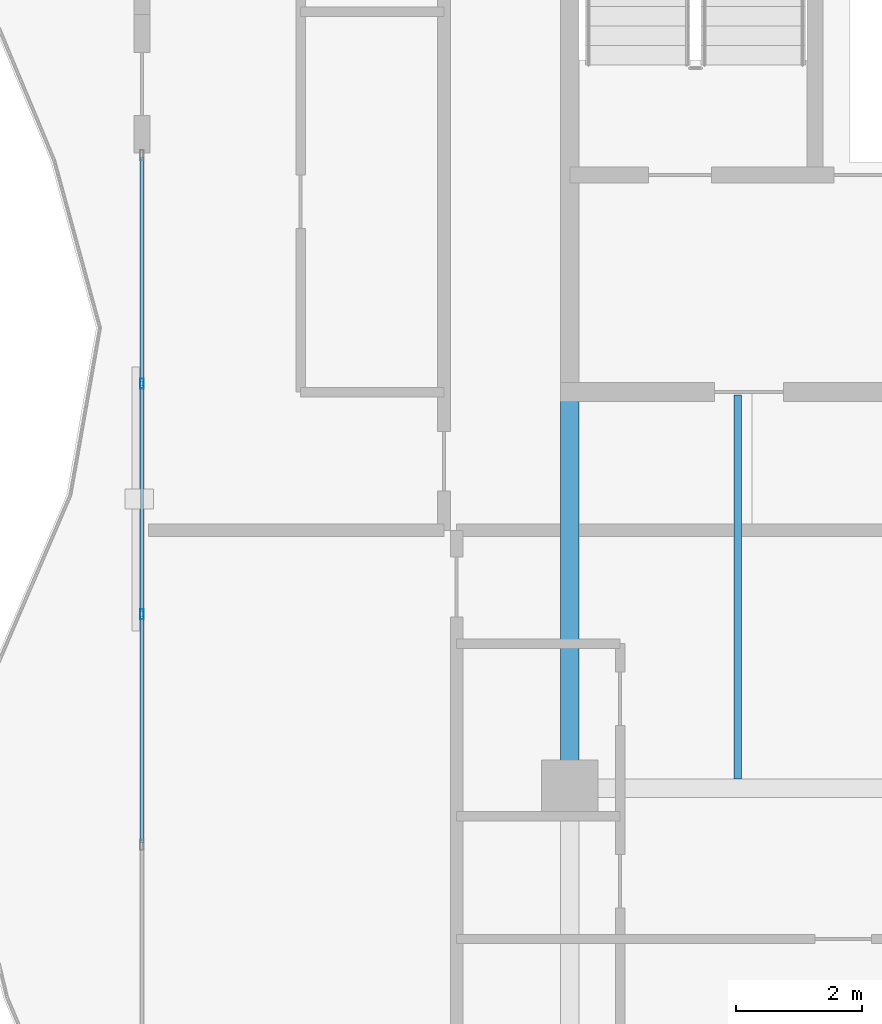
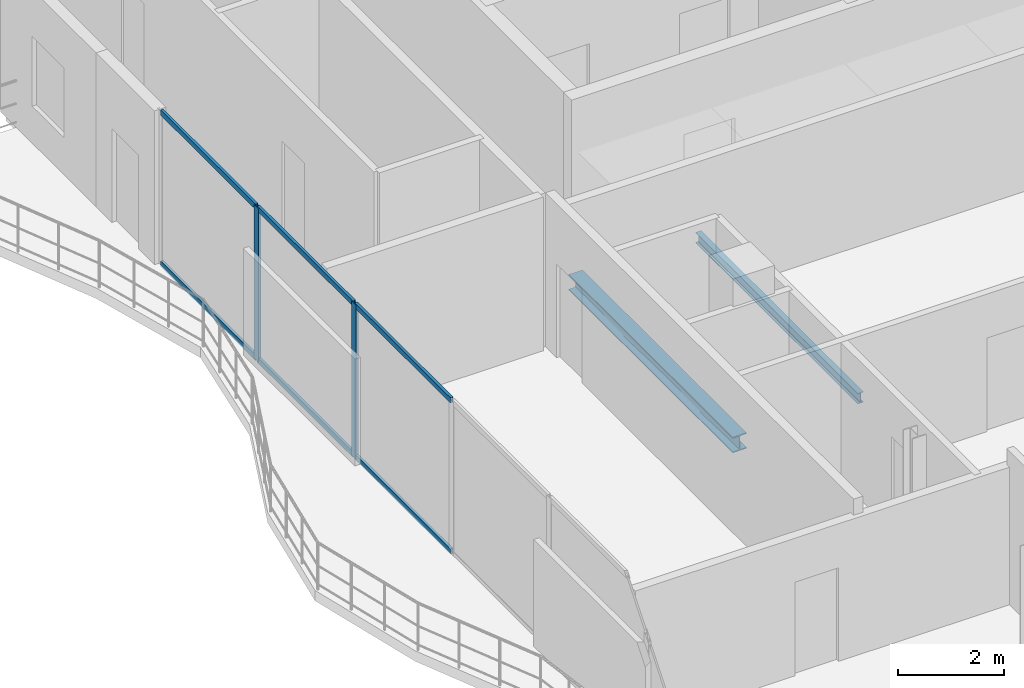
# One storey, part 7 of 17: 8 members, 2 beams, 1 element without a shape of its own.
"""IFC4 building model written with IfcOpenShell, lengths in metres."""

from ifc_helpers import new_model, si_unit, direction, frame, origin, origin_2d, place, context, subcontext, project, spatial, hollow_rectangle, i_section, extrude, material, layer, layer_set, material_profile, profile_set, type_object, element, aggregate, save


model = new_model("IFC4")

# Units and contexts
model_context = context("Model", 3, precision=1e-05, world=origin(), true_north=direction((0.0, 1.0)))
body_context = subcontext(model_context, "Body", "Model", "MODEL_VIEW")
ifc_project = project(units=[si_unit("LENGTHUNIT", "METRE"), si_unit("AREAUNIT", "SQUARE_METRE"), si_unit("VOLUMEUNIT", "CUBIC_METRE"), si_unit("PLANEANGLEUNIT", "RADIAN"), si_unit("MASSUNIT", "GRAM", prefix="KILO")], contexts=[model_context])

# Site, building, storey
site_placement = place(None, origin())
site = spatial("IfcSite", under=ifc_project, at=site_placement, CompositionType="ELEMENT")
building_placement = place(site_placement, origin())
building = spatial("IfcBuilding", under=site, at=building_placement, Name="Catumbela Crestline Tower", CompositionType="ELEMENT")
storey_placement = place(building_placement, frame((0.0, 0.0, 279.2)))
storey = spatial("IfcBuildingStorey", under=building, at=storey_placement, Name="L72", CompositionType="ELEMENT", Elevation=279.2)

# Beams
ifc_material_1 = material(Name="Structural steel S355J2", Category="steel")
ifc_material_profile_1 = material_profile(ifc_material_1, i_section(OverallWidth=0.3, OverallDepth=0.36, WebThickness=0.0125, FlangeThickness=0.0225, FilletRadius=0.027, at=origin_2d()), Name="HEB 360")
ifc_profile_set_1 = profile_set([ifc_material_profile_1], Name="Structural steel S355J2")
beam_type_1 = type_object("IfcBeamType", Name="BG-HEB360", PredefinedType="BEAM", material=ifc_profile_set_1)
beam_1_placement = place(storey_placement, frame((16.0, 24.58, -0.44), z_axis=(0.0, 1.0, 0.0), x_axis=(-1.0, 0.0, 0.0)))
element("IfcBeam", 1, at=beam_1_placement, inside=storey, type_object=beam_type_1, Name="L72 Beam BM-L72-SNS06", PredefinedType="BEAM", context=body_context, shape_type="SweptSolid", body=[
    extrude(i_section(OverallWidth=0.3, OverallDepth=0.36, WebThickness=0.0125, FlangeThickness=0.0225, FilletRadius=0.027, at=origin_2d()), origin(), (0.0, 0.0, 1.0), 6.17),
])
ifc_material_profile_2 = material_profile(ifc_material_1, i_section(OverallWidth=0.12, OverallDepth=0.24, WebThickness=0.0062, FlangeThickness=0.0098, FilletRadius=0.015, at=origin_2d()), Name="IPE 240")
ifc_profile_set_2 = profile_set([ifc_material_profile_2], Name="Structural steel S355J2")
beam_type_2 = type_object("IfcBeamType", Name="BJ-IPE240", PredefinedType="JOIST", material=ifc_profile_set_2)
beam_2_placement = place(storey_placement, frame((18.667, 24.647, -0.38), z_axis=(0.0, 1.0, 0.0), x_axis=(-1.0, 0.0, 0.0)))
element("IfcBeam", 2, at=beam_2_placement, inside=storey, type_object=beam_type_2, Name="L72 Joist JS-L72-SP12", PredefinedType="JOIST", context=body_context, shape_type="SweptSolid", body=[
    extrude(i_section(OverallWidth=0.12, OverallDepth=0.24, WebThickness=0.0062, FlangeThickness=0.0098, FilletRadius=0.015, at=origin_2d()), origin(), (0.0, 0.0, 1.0), 6.103),
])

# Curtain wall, members
ifc_material_2 = material(Name="Aluminium alloy AW-6060-T66", Category="aluminium")
ifc_layer = layer(ifc_material_2, 0.18, Name="Aluminium alloy AW-6060-T66")
ifc_layer_set = layer_set([ifc_layer], Name="Aluminium alloy AW-6060-T66")
curtain_wall_type = type_object("IfcCurtainWallType", Name="CWU-Z4", PredefinedType="USERDEFINED", material=ifc_layer_set)
curtain_wall_placement = place(storey_placement, origin())
curtain_wall = element("IfcCurtainWall", 3, at=curtain_wall_placement, inside=storey, type_object=curtain_wall_type, Name="L72 Unitised Curtain Wall CW-L72-E9S2", ObjectType="UNITISED", PredefinedType="USERDEFINED")
ifc_material_profile_3 = material_profile(ifc_material_2, hollow_rectangle(XDim=0.06, YDim=0.16, WallThickness=0.004, at=origin_2d()), Name="ALU 160x60x4")
ifc_profile_set_3 = profile_set([ifc_material_profile_3], Name="Aluminium alloy AW-6060-T66")
member_type_1 = type_object("IfcMemberType", Name="MUL-160X60", PredefinedType="MULLION", material=ifc_profile_set_3)
member_1_placement = place(storey_placement, frame((9.2, 30.9333, 0.0), z_axis=(0.0, 0.0, 1.0), x_axis=(1.0, 0.0, 0.0)))
member_1 = element("IfcMember", 4, at=member_1_placement, type_object=member_type_1, Name="CWU-Z4 mullion 2", PredefinedType="MULLION", context=body_context, shape_type="SweptSolid", body=[
    extrude(hollow_rectangle(XDim=0.06, YDim=0.16, WallThickness=0.004, at=origin_2d()), origin(), (0.0, 0.0, 1.0), 3.53),
])
member_2_placement = place(storey_placement, frame((9.2, 27.2667, 0.0), z_axis=(0.0, 0.0, 1.0), x_axis=(1.0, 0.0, 0.0)))
member_2 = element("IfcMember", 5, at=member_2_placement, type_object=member_type_1, Name="CWU-Z4 mullion 3", PredefinedType="MULLION", context=body_context, shape_type="SweptSolid", body=[
    extrude(hollow_rectangle(XDim=0.06, YDim=0.16, WallThickness=0.004, at=origin_2d()), origin(), (0.0, 0.0, 1.0), 3.53),
])
ifc_material_profile_4 = material_profile(ifc_material_2, hollow_rectangle(XDim=0.06, YDim=0.12, WallThickness=0.0035, at=origin_2d()), Name="ALU 120x60x3.5")
ifc_profile_set_4 = profile_set([ifc_material_profile_4], Name="Aluminium alloy AW-6060-T66")
member_type_2 = type_object("IfcMemberType", Name="TRN-120X60", PredefinedType="USERDEFINED", material=ifc_profile_set_4)
member_3_placement = place(storey_placement, frame((9.2, 34.535, 0.03), z_axis=(0.0, -1.0, 0.0), x_axis=(1.0, 0.0, 0.0)))
member_3 = element("IfcMember", 6, at=member_3_placement, type_object=member_type_2, Name="CWU-Z4 transom 1.1", ObjectType="TRANSOM", PredefinedType="USERDEFINED", context=body_context, shape_type="SweptSolid", body=[
    extrude(hollow_rectangle(XDim=0.06, YDim=0.12, WallThickness=0.0035, at=origin_2d()), origin(), (0.0, 0.0, 1.0), 3.5692),
])
member_4_placement = place(storey_placement, frame((9.2, 34.535, 3.5), z_axis=(0.0, -1.0, 0.0), x_axis=(1.0, 0.0, 0.0)))
member_4 = element("IfcMember", 7, at=member_4_placement, type_object=member_type_2, Name="CWU-Z4 transom 1.2", ObjectType="TRANSOM", PredefinedType="USERDEFINED", context=body_context, shape_type="SweptSolid", body=[
    extrude(hollow_rectangle(XDim=0.06, YDim=0.12, WallThickness=0.0035, at=origin_2d()), origin(), (0.0, 0.0, 1.0), 3.5692),
])
member_5_placement = place(storey_placement, frame((9.2, 30.9008, 0.03), z_axis=(0.0, -1.0, 0.0), x_axis=(1.0, 0.0, 0.0)))
member_5 = element("IfcMember", 8, at=member_5_placement, type_object=member_type_2, Name="CWU-Z4 transom 2.1", ObjectType="TRANSOM", PredefinedType="USERDEFINED", context=body_context, shape_type="SweptSolid", body=[
    extrude(hollow_rectangle(XDim=0.06, YDim=0.12, WallThickness=0.0035, at=origin_2d()), origin(), (0.0, 0.0, 1.0), 3.6016),
])
member_6_placement = place(storey_placement, frame((9.2, 30.9008, 3.5), z_axis=(0.0, -1.0, 0.0), x_axis=(1.0, 0.0, 0.0)))
member_6 = element("IfcMember", 9, at=member_6_placement, type_object=member_type_2, Name="CWU-Z4 transom 2.2", ObjectType="TRANSOM", PredefinedType="USERDEFINED", context=body_context, shape_type="SweptSolid", body=[
    extrude(hollow_rectangle(XDim=0.06, YDim=0.12, WallThickness=0.0035, at=origin_2d()), origin(), (0.0, 0.0, 1.0), 3.6016),
])
member_7_placement = place(storey_placement, frame((9.2, 27.2342, 0.03), z_axis=(0.0, -1.0, 0.0), x_axis=(1.0, 0.0, 0.0)))
member_7 = element("IfcMember", 10, at=member_7_placement, type_object=member_type_2, Name="CWU-Z4 transom 3.1", ObjectType="TRANSOM", PredefinedType="USERDEFINED", context=body_context, shape_type="SweptSolid", body=[
    extrude(hollow_rectangle(XDim=0.06, YDim=0.12, WallThickness=0.0035, at=origin_2d()), origin(), (0.0, 0.0, 1.0), 3.6017),
])
member_8_placement = place(storey_placement, frame((9.2, 27.2342, 3.5), z_axis=(0.0, -1.0, 0.0), x_axis=(1.0, 0.0, 0.0)))
member_8 = element("IfcMember", 11, at=member_8_placement, type_object=member_type_2, Name="CWU-Z4 transom 3.2", ObjectType="TRANSOM", PredefinedType="USERDEFINED", context=body_context, shape_type="SweptSolid", body=[
    extrude(hollow_rectangle(XDim=0.06, YDim=0.12, WallThickness=0.0035, at=origin_2d()), origin(), (0.0, 0.0, 1.0), 3.6017),
])
aggregate(curtain_wall, [member_1, member_2, member_3, member_4, member_5, member_6, member_7, member_8])

save(model, "model.ifc")
